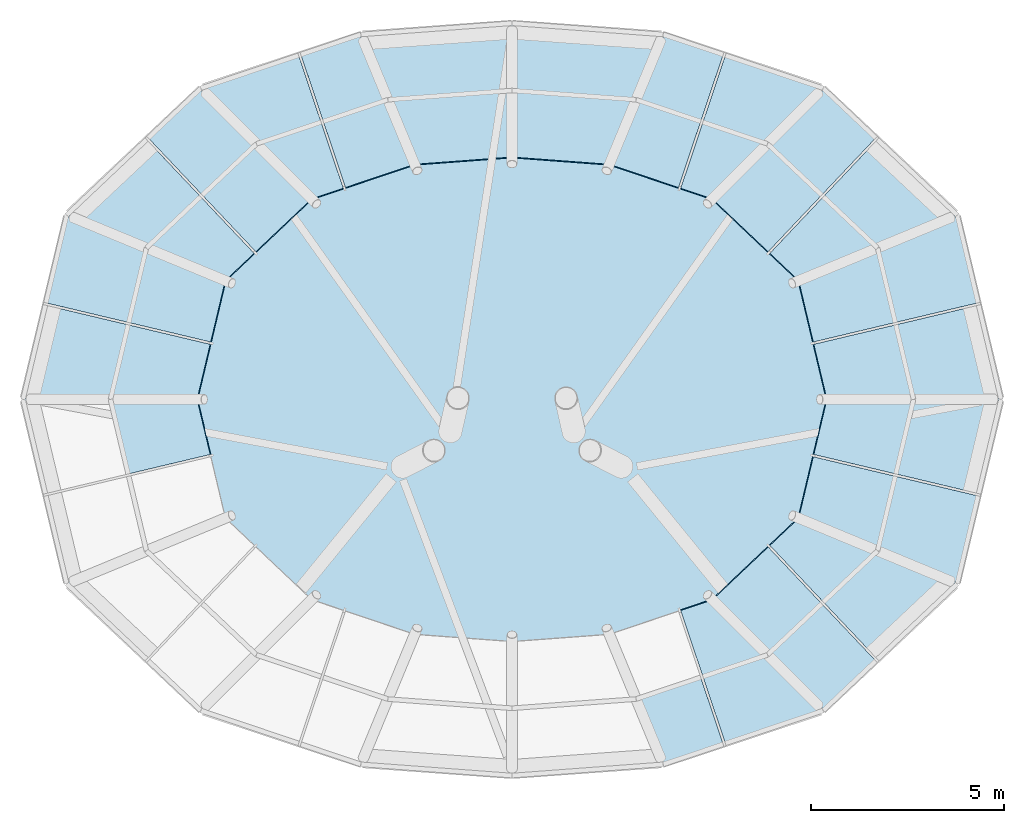
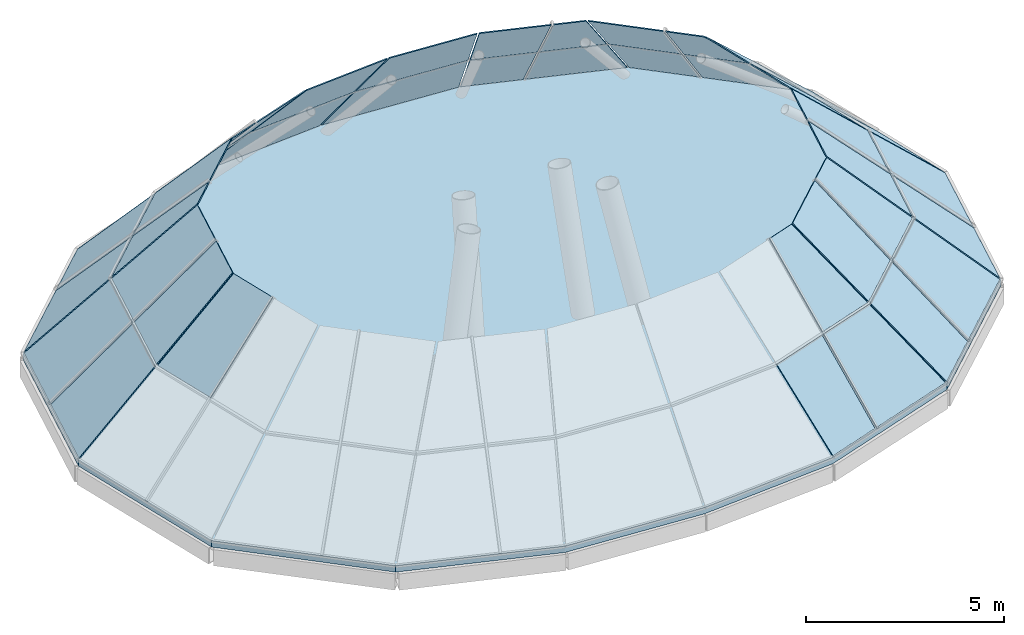
# One storey, part 3 of 3: 40 plates, 1 slab, 12 elements without a shape of their own.
"""IFC4 building model written with IfcOpenShell, lengths in metres."""

from ifc_helpers import new_model, si_unit, direction, frame, origin, place, context, subcontext, project, spatial, polyline, outline, extrude, material, layer, layer_set, type_object, element, aggregate, save


model = new_model("IFC4")

# Units and contexts
model_context = context("Model", 3, precision=1e-05, world=origin(), true_north=direction((0.0, 1.0)))
body_context = subcontext(model_context, "Body", "Model", "MODEL_VIEW")
ifc_project = project(units=[si_unit("LENGTHUNIT", "METRE"), si_unit("AREAUNIT", "SQUARE_METRE"), si_unit("VOLUMEUNIT", "CUBIC_METRE"), si_unit("PLANEANGLEUNIT", "RADIAN"), si_unit("MASSUNIT", "GRAM", prefix="KILO")], contexts=[model_context])

# Site, building, storey
site_placement = place(None, origin())
site = spatial("IfcSite", under=ifc_project, at=site_placement, CompositionType="ELEMENT")
building_placement = place(site_placement, origin())
building = spatial("IfcBuilding", under=site, at=building_placement, Name="Rubra Terraces Tower", CompositionType="ELEMENT")
storey_placement = place(building_placement, frame((0.0, 0.0, 328.800048828125)))
storey = spatial("IfcBuildingStorey", under=building, at=storey_placement, Name="L81", CompositionType="ELEMENT", Elevation=328.800048828125)

# Curtain wall, plates
ifc_material_1 = material(Name="Aluminium and glass", Category="aluminium")
curtain_wall_type = type_object("IfcCurtainWallType", Name="Curtain wall Crown glazing", PredefinedType="NOTDEFINED", material=ifc_material_1)
curtain_wall_1_placement = place(storey_placement, origin())
curtain_wall_1 = element("IfcCurtainWall", 1, at=curtain_wall_1_placement, inside=storey, type_object=curtain_wall_type, Name="Crown glazing L81 facet 1", PredefinedType="NOTDEFINED")
ifc_material_2 = material(Name="Clear glass, laminated", Category="glass")
ifc_layer_1 = layer(ifc_material_2, 0.028076171875)
ifc_layer_set_1 = layer_set([ifc_layer_1], Name="Clear glass, laminated")
plate_type = type_object("IfcPlateType", Name="Crown glazing glass panel 28", PredefinedType="CURTAIN_PANEL", material=ifc_layer_set_1)
plate_1_placement = place(storey_placement, frame((12.6162109375, 0.029296875, 0.020263671875), z_axis=(0.671698110267, 0.159578264564, 0.723433774538), x_axis=(-0.231156493778, 0.972916581805, 1.5261046e-05)))
plate_1 = element("IfcPlate", 2, at=plate_1_placement, type_object=plate_type, Name="Crown glazing L81 facet 1 panel 1.1", PredefinedType="CURTAIN_PANEL", context=body_context, shape_type="SweptSolid", body=[
    extrude(outline(polyline([(0.0, 0.0), (2.470230925350674, 5.551115123125783e-17), (2.4702736109680394, 2.9827737849064793), (0.5127405939679447, 2.9828716599315426), (0.0, 0.0)])), origin(), (0.0, 0.0, -1.0), 0.028076171875),
])
plate_2_placement = place(storey_placement, frame((10.354248046875, 0.029296875, 2.120361328125), z_axis=(0.671665765784, 0.159630885791, 0.723452195639), x_axis=(-0.231206604375, 0.972904674577, -1.6689439e-05)))
plate_2 = element("IfcPlate", 3, at=plate_2_placement, type_object=plate_type, Name="Crown glazing L81 facet 1 panel 1.2", PredefinedType="CURTAIN_PANEL", context=body_context, shape_type="SweptSolid", body=[
    extrude(outline(polyline([(0.0, 0.0), (1.9472864387669127, 0.0), (1.9473744715149315, 2.9826052330039206), (0.5127295008348857, 2.98252347659709), (0.0, 0.0)])), origin(), (0.0, 0.0, -1.0), 0.028076171875),
])
plate_3_placement = place(storey_placement, frame((12.03125, 2.490966796875, 0.020263671875), z_axis=(0.671707026347, 0.159624915282, 0.723415203861), x_axis=(-0.231210994896, 0.972903631282, 8.833266e-06)))
plate_3 = element("IfcPlate", 4, at=plate_3_placement, type_object=plate_type, Name="Crown glazing L81 facet 1 panel 2.1", PredefinedType="CURTAIN_PANEL", context=body_context, shape_type="SweptSolid", body=[
    extrude(outline(polyline([(0.0, 0.0), (2.3028827646827654, 5.551115123125783e-17), (1.955964208924267, 2.9827192952484767), (0.00015032592690593808, 2.982773781746493), (0.0, 0.0)])), origin(), (0.0, 0.0, -1.0), 0.028076171875),
])
plate_4_placement = place(storey_placement, frame((9.890380859375, 1.982177734375, 2.120361328125), z_axis=(0.671663504589, 0.159621536706, 0.723456357787), x_axis=(-0.231221733871, 0.972901079085, 1.000033e-05)))
plate_4 = element("IfcPlate", 5, at=plate_4_placement, type_object=plate_type, Name="Crown glazing L81 facet 1 panel 2.2", PredefinedType="CURTAIN_PANEL", context=body_context, shape_type="SweptSolid", body=[
    extrude(outline(polyline([(0.0, 0.0), (1.9490620122028204, 0.0), (1.6021696745429894, 2.982553790623423), (0.0001765448642833425, 2.982605229294717), (0.0, 0.0)])), origin(), (0.0, 0.0, -1.0), 0.028076171875),
])
aggregate(curtain_wall_1, [plate_1, plate_2, plate_3, plate_4])

curtain_wall_2_placement = place(storey_placement, origin())
curtain_wall_2 = element("IfcCurtainWall", 6, at=curtain_wall_2_placement, inside=storey, type_object=curtain_wall_type, Name="Crown glazing L81 facet 2", PredefinedType="NOTDEFINED")
plate_5_placement = place(storey_placement, frame((11.469970703125, 4.78125, 0.0205078125), z_axis=(0.49344720409, 0.521910296874, 0.695786963655), x_axis=(-0.726634990654, 0.687023718804, -1.2573544e-05)))
plate_5 = element("IfcPlate", 7, at=plate_5_placement, type_object=plate_type, Name="Crown glazing L81 facet 2 panel 1.1", PredefinedType="CURTAIN_PANEL", context=body_context, shape_type="SweptSolid", body=[
    extrude(outline(polyline([(0.0, 0.0), (2.7994862301919943, 1.1102230246251565e-16), (2.7995651791718936, 2.8665202957685554), (0.8922499592589556, 2.8664378992161756), (0.0, 0.0)])), origin(), (0.0, 0.0, -1.0), 0.028076171875),
])
plate_6_placement = place(storey_placement, frame((9.4111328125, 3.92822265625, 2.12060546875), z_axis=(0.493445055649, 0.52193523552, 0.695769780156), x_axis=(-0.726661559429, 0.686995617197, 4.80571e-07)))
plate_6 = element("IfcPlate", 8, at=plate_6_placement, type_object=plate_type, Name="Crown glazing L81 facet 2 panel 1.2", PredefinedType="CURTAIN_PANEL", context=body_context, shape_type="SweptSolid", body=[
    extrude(outline(polyline([(0.0, 0.0), (1.889526442105839, 0.0), (1.8895319939832567, 2.8664035920775617), (0.8923539641394455, 2.866405523491513), (0.0, 0.0)])), origin(), (0.0, 0.0, -1.0), 0.028076171875),
])
plate_7_placement = place(storey_placement, frame((9.39208984375, 6.745849609375, 0.0205078125), z_axis=(0.493425866514, 0.52193512498, 0.695783471754), x_axis=(-0.726660439215, 0.686996801764, -2.113403e-05)))
plate_7 = element("IfcPlate", 9, at=plate_7_placement, type_object=plate_type, Name="Crown glazing L81 facet 2 panel 2.1", PredefinedType="CURTAIN_PANEL", context=body_context, shape_type="SweptSolid", body=[
    extrude(outline(polyline([(0.0, 0.0), (1.8418596072550337, -1.1102230246251565e-16), (1.8977770724783045, 2.866513628552412), (-4.22006033324475e-05, 2.8664035912266246), (0.0, 0.0)])), origin(), (0.0, 0.0, -1.0), 0.028076171875),
])
plate_8_placement = place(storey_placement, frame((7.994384765625, 5.267578125, 2.12060546875), z_axis=(0.493484649731, 0.521878787253, 0.695784041133), x_axis=(-0.726582424708, 0.687079311033, -2.1334538e-05)))
plate_8 = element("IfcPlate", 10, at=plate_8_placement, type_object=plate_type, Name="Crown glazing L81 facet 2 panel 2.2", PredefinedType="CURTAIN_PANEL", context=body_context, shape_type="SweptSolid", body=[
    extrude(outline(polyline([(0.0, 0.0), (1.898845000045893, 1.1102230246251565e-16), (1.9545355712771488, 2.866518045575426), (-0.00026907641486176634, 2.86640357886247), (0.0, 0.0)])), origin(), (0.0, 0.0, -1.0), 0.028076171875),
])
aggregate(curtain_wall_2, [plate_5, plate_6, plate_7, plate_8])

curtain_wall_3_placement = place(storey_placement, origin())
curtain_wall_3 = element("IfcCurtainWall", 11, at=curtain_wall_3_placement, inside=storey, type_object=curtain_wall_type, Name="Crown glazing L81 facet 3", PredefinedType="NOTDEFINED")
plate_9_placement = place(storey_placement, frame((8.002685546875, 8.040771484375, 0.021484375), z_axis=(0.240749701374, 0.71579253895, 0.655500284113), x_axis=(-0.947828993256, 0.31877923289, 1.4875059e-05)))
plate_9 = element("IfcPlate", 12, at=plate_9_placement, type_object=plate_type, Name="Crown glazing L81 facet 3 panel 1.1", PredefinedType="CURTAIN_PANEL", context=body_context, shape_type="SweptSolid", body=[
    extrude(outline(polyline([(0.0, 0.0), (2.6278034514755646, -1.1102230246251565e-16), (2.6278170848953146, 2.723595728709326), (0.8865504906563437, 2.723681786190803), (0.0, 0.0)])), origin(), (0.0, 0.0, -1.0), 0.028076171875),
])
plate_10_placement = place(storey_placement, frame((6.563720703125, 6.601806640625, 2.121337890625), z_axis=(0.240647760718, 0.715889250439, 0.655432098975), x_axis=(-0.947882082543, 0.318621338646, 1.2372436e-05)))
plate_10 = element("IfcPlate", 13, at=plate_10_placement, type_object=plate_type, Name="Crown glazing L81 facet 3 panel 1.2", PredefinedType="CURTAIN_PANEL", context=body_context, shape_type="SweptSolid", body=[
    extrude(outline(polyline([(0.0, 0.0), (1.7225820647765742, 5.551115123125783e-17), (1.7226565287196975, 2.7237291112008757), (0.8868427498341181, 2.7237710223777847), (0.0, 0.0)])), origin(), (0.0, 0.0, -1.0), 0.028076171875),
])
plate_11_placement = place(storey_placement, frame((5.455078125, 8.8974609375, 0.021484375), z_axis=(0.240686642888, 0.715820518102, 0.655492887681), x_axis=(-0.947850152961, 0.318716311712, -1.3431266e-05)))
plate_11 = element("IfcPlate", 14, at=plate_11_placement, type_object=plate_type, Name="Crown glazing L81 facet 3 panel 2.1", PredefinedType="CURTAIN_PANEL", context=body_context, shape_type="SweptSolid", body=[
    extrude(outline(polyline([(0.0, 0.0), (1.6085518700773938, 0.0), (1.730685575577795, 2.7236551152612183), (7.39237460681814e-05, 2.7235957281936045), (0.0, 0.0)])), origin(), (0.0, 0.0, -1.0), 0.028076171875),
])
plate_12_placement = place(storey_placement, frame((4.8740234375, 7.169921875, 2.121337890625), z_axis=(0.240635472436, 0.715894384365, 0.655431003112), x_axis=(-0.947881278464, 0.318623730787, -1.080257e-05)))
plate_12 = element("IfcPlate", 15, at=plate_12_placement, type_object=plate_type, Name="Crown glazing L81 facet 3 panel 2.2", PredefinedType="CURTAIN_PANEL", context=body_context, shape_type="SweptSolid", body=[
    extrude(outline(polyline([(0.0, 0.0), (1.7331591801330357, 0.0), (1.8552412547090964, 2.723780437491612), (2.228473545975941e-05, 2.7237291121719034), (0.0, 0.0)])), origin(), (0.0, 0.0, -1.0), 0.028076171875),
])
aggregate(curtain_wall_3, [plate_9, plate_10, plate_11, plate_12])

curtain_wall_4_placement = place(storey_placement, origin())
curtain_wall_4 = element("IfcCurtainWall", 16, at=curtain_wall_4_placement, inside=storey, type_object=curtain_wall_type, Name="Crown glazing L81 facet 4", PredefinedType="NOTDEFINED")
plate_13_placement = place(storey_placement, frame((3.87158203125, 9.4208984375, 0.0224609375), z_axis=(0.057064548464, 0.768816073524, 0.636918740814), x_axis=(-0.997256710691, 0.074020625386, -3.81008e-07)))
plate_13 = element("IfcPlate", 17, at=plate_13_placement, type_object=plate_type, Name="Crown glazing L81 facet 4 panel 1.1", PredefinedType="CURTAIN_PANEL", context=body_context, shape_type="SweptSolid", body=[
    extrude(outline(polyline([(0.0, 0.0), (3.852365158661432, 5.551115123125783e-17), (3.7263522124304145, 2.6655215765537723), (0.5599513099787456, 2.6655181077530656), (0.0, 0.0)])), origin(), (0.0, 0.0, -1.0), 0.028076171875),
])
plate_14_placement = place(storey_placement, frame((3.172607421875, 7.73291015625, 2.12255859375), z_axis=(0.05702880885, 0.768783190519, 0.636961632233), x_axis=(-0.997259752423, 0.073979633618, -2.767782e-06)))
plate_14 = element("IfcPlate", 18, at=plate_14_placement, type_object=plate_type, Name="Crown glazing L81 facet 4 panel 1.2", PredefinedType="CURTAIN_PANEL", context=body_context, shape_type="SweptSolid", body=[
    extrude(outline(polyline([(0.0, 0.0), (3.1514588239848553, 0.0), (3.0255107578544713, 2.6653364322655078), (0.5600161892604386, 2.665316265456108), (0.0, 0.0)])), origin(), (0.0, 0.0, -1.0), 0.028076171875),
])
aggregate(curtain_wall_4, [plate_13, plate_14])

curtain_wall_5_placement = place(storey_placement, origin())
curtain_wall_5 = element("IfcCurtainWall", 19, at=curtain_wall_5_placement, inside=storey, type_object=curtain_wall_type, Name="Crown glazing L81 facet 5", PredefinedType="NOTDEFINED")
plate_15_placement = place(storey_placement, frame((-0.02978515625, 9.70556640625, 0.02294921875), z_axis=(-0.057010619978, 0.768812076566, 0.636928394826), x_axis=(-0.997261517698, -0.073955833347, 5.715564e-06)))
plate_15 = element("IfcPlate", 20, at=plate_15_placement, type_object=plate_type, Name="Crown glazing L81 facet 5 panel 1.1", PredefinedType="CURTAIN_PANEL", context=body_context, shape_type="SweptSolid", body=[
    extrude(outline(polyline([(0.0, 0.0), (3.852103622679126, 2.7755575615628914e-17), (3.2924857468449376, 2.6642561575320913), (0.12585943444181869, 2.6643081938640902), (0.0, 0.0)])), origin(), (0.0, 0.0, -1.0), 0.028076171875),
])
plate_16_placement = place(storey_placement, frame((-0.02978515625, 7.9658203125, 2.123046875), z_axis=(-0.057059546155, 0.768745876092, 0.63700391379), x_axis=(-0.997257674319, -0.074007639911, -1.5702125e-05)))
plate_16 = element("IfcPlate", 21, at=plate_16_placement, type_object=plate_type, Name="Crown glazing L81 facet 5 panel 1.2", PredefinedType="CURTAIN_PANEL", context=body_context, shape_type="SweptSolid", body=[
    extrude(outline(polyline([(0.0, 0.0), (3.151215351550259, 2.7755575615628914e-17), (2.5916597105220305, 2.66423231425634), (0.12590360446857968, 2.664117898765735), (0.0, 0.0)])), origin(), (0.0, 0.0, -1.0), 0.028076171875),
])
aggregate(curtain_wall_5, [plate_15, plate_16])

curtain_wall_6_placement = place(storey_placement, origin())
curtain_wall_6 = element("IfcCurtainWall", 22, at=curtain_wall_6_placement, inside=storey, type_object=curtain_wall_type, Name="Crown glazing L81 facet 6", PredefinedType="NOTDEFINED")
plate_17_placement = place(storey_placement, frame((-3.929931640625, 9.4091796875, 0.0224609375), z_axis=(-0.24072808047, 0.715888531116, 0.655403388982), x_axis=(-0.947845917148, -0.318728908859, 1.895277e-06)))
plate_17 = element("IfcPlate", 23, at=plate_17_placement, type_object=plate_type, Name="Crown glazing L81 facet 6 panel 1.1", PredefinedType="CURTAIN_PANEL", context=body_context, shape_type="SweptSolid", body=[
    extrude(outline(polyline([(0.0, 0.0), (1.6085518704083464, 0.0), (1.6085496471309282, 2.7207542354337537), (-0.12183059615816563, 2.7207626140598844), (0.0, 0.0)])), origin(), (0.0, 0.0, -1.0), 0.028076171875),
])
plate_18_placement = place(storey_placement, frame((-3.23095703125, 7.72119140625, 2.12255859375), z_axis=(-0.240685918606, 0.715840207536, 0.655471651454), x_axis=(-0.947865616581, -0.318670318495, -3.1854489e-05)))
plate_18 = element("IfcPlate", 24, at=plate_18_placement, type_object=plate_type, Name="Crown glazing L81 facet 6 panel 1.2", PredefinedType="CURTAIN_PANEL", context=body_context, shape_type="SweptSolid", body=[
    extrude(outline(polyline([(0.0, 0.0), (1.7331591783217948, 5.551115123125783e-17), (1.7330551847857472, 2.720721524206221), (-0.12201016726695366, 2.7205701761306464), (0.0, 0.0)])), origin(), (0.0, 0.0, -1.0), 0.028076171875),
])
plate_19_placement = place(storey_placement, frame((-5.51171875, 8.87744140625, 0.0224609375), z_axis=(-0.240675723872, 0.715865738041, 0.655447512039), x_axis=(-0.94785949254, -0.31868853462, 1.7443875e-05)))
plate_19 = element("IfcPlate", 25, at=plate_19_placement, type_object=plate_type, Name="Crown glazing L81 facet 6 panel 2.1", PredefinedType="CURTAIN_PANEL", context=body_context, shape_type="SweptSolid", body=[
    extrude(outline(polyline([(0.0, 0.0), (2.6274942278181825, 0.0), (1.7414517598686543, 2.7208559922722633), (-0.0001998338188894069, 2.720956906895225), (0.0, 0.0)])), origin(), (0.0, 0.0, -1.0), 0.028076171875),
])
plate_20_placement = place(storey_placement, frame((-4.9306640625, 7.14990234375, 2.12255859375), z_axis=(-0.240692596997, 0.715808253286, 0.655504094784), x_axis=(-0.947853275535, -0.318707025185, -1.2429295e-05)))
plate_20 = element("IfcPlate", 26, at=plate_20_placement, type_object=plate_type, Name="Crown glazing L81 facet 6 panel 2.2", PredefinedType="CURTAIN_PANEL", context=body_context, shape_type="SweptSolid", body=[
    extrude(outline(polyline([(0.0, 0.0), (1.7221192365346076, -5.551115123125783e-17), (0.8363593918839514, 2.720763635844994), (4.983396266848944e-06, 2.720721527296919), (0.0, 0.0)])), origin(), (0.0, 0.0, -1.0), 0.028076171875),
])
aggregate(curtain_wall_6, [plate_17, plate_18, plate_19, plate_20])

curtain_wall_7_placement = place(storey_placement, origin())
curtain_wall_7 = element("IfcCurtainWall", 27, at=curtain_wall_7_placement, inside=storey, type_object=curtain_wall_type, Name="Crown glazing L81 facet 7", PredefinedType="NOTDEFINED")
plate_21_placement = place(storey_placement, frame((-8.052978515625, 8.010498046875, 0.021484375), z_axis=(-0.493427189758, 0.521936524679, 0.69578148338), x_axis=(-0.726690722093, -0.686964768988, -2.4370759e-05)))
plate_21 = element("IfcPlate", 28, at=plate_21_placement, type_object=plate_type, Name="Crown glazing L81 facet 7 panel 1.1", PredefinedType="CURTAIN_PANEL", context=body_context, shape_type="SweptSolid", body=[
    extrude(outline(polyline([(0.0, 0.0), (1.8420370182856498, -1.1102230246251565e-16), (1.8416010287735516, 2.863793318118129), (-0.05604083274363647, 2.863666428642804), (0.0, 0.0)])), origin(), (0.0, 0.0, -1.0), 0.028076171875),
])
plate_22_placement = place(storey_placement, frame((-6.614013671875, 6.571533203125, 2.121337890625), z_axis=(-0.493501808375, 0.52194243818, 0.695724123743), x_axis=(-0.726627233123, -0.687031923627, -1.058229e-06)))
plate_22 = element("IfcPlate", 29, at=plate_22_placement, type_object=plate_type, Name="Crown glazing L81 facet 7 panel 1.2", PredefinedType="CURTAIN_PANEL", context=body_context, shape_type="SweptSolid", body=[
    extrude(outline(polyline([(0.0, 0.0), (1.8990223929382237, -1.1102230246251565e-16), (1.8989959023017604, 2.8638520028478416), (-0.055808749598349965, 2.8638463253048876), (0.0, 0.0)])), origin(), (0.0, 0.0, -1.0), 0.028076171875),
])
plate_23_placement = place(storey_placement, frame((-9.43505859375, 6.703857421875, 0.021484375), z_axis=(-0.493446204689, 0.521909239826, 0.695788465313), x_axis=(-0.726657219161, -0.68700020772, -2.0826349e-05)))
plate_23 = element("IfcPlate", 30, at=plate_23_placement, type_object=plate_type, Name="Crown glazing L81 facet 7 panel 2.1", PredefinedType="CURTAIN_PANEL", context=body_context, shape_type="SweptSolid", body=[
    extrude(outline(polyline([(0.0, 0.0), (2.798973371297321, 0.0), (1.9076739618170098, 2.863813113225489), (-0.00015411573313555926, 2.8636766343786118), (0.0, 0.0)])), origin(), (0.0, 0.0, -1.0), 0.028076171875),
])
plate_24_placement = place(storey_placement, frame((-8.03759765625, 5.2255859375, 2.121337890625), z_axis=(-0.493451318024, 0.521945367292, 0.695757738227), x_axis=(-0.726666158681, -0.686990752348, -3.928385e-06)))
plate_24 = element("IfcPlate", 31, at=plate_24_placement, type_object=plate_type, Name="Crown glazing L81 facet 7 panel 2.2", PredefinedType="CURTAIN_PANEL", context=body_context, shape_type="SweptSolid", body=[
    extrude(outline(polyline([(0.0, 0.0), (1.8888361798918205, 1.1102230246251565e-16), (0.997200466293286, 2.863984475931212), (-0.0003226945871213308, 2.8639686899076455), (0.0, 0.0)])), origin(), (0.0, 0.0, -1.0), 0.028076171875),
])
aggregate(curtain_wall_7, [plate_21, plate_22, plate_23, plate_24])

curtain_wall_8_placement = place(storey_placement, origin())
curtain_wall_8 = element("IfcCurtainWall", 32, at=curtain_wall_8_placement, inside=storey, type_object=curtain_wall_type, Name="Crown glazing L81 facet 8", PredefinedType="NOTDEFINED")
plate_25_placement = place(storey_placement, frame((-11.498779296875, 4.7314453125, 0.0205078125), z_axis=(-0.671683320579, 0.159540125229, 0.723455918006), x_axis=(-0.231106746374, -0.972928400043, -1.3031937e-05)))
plate_25 = element("IfcPlate", 33, at=plate_25_placement, type_object=plate_type, Name="Crown glazing L81 facet 8 panel 1.1", PredefinedType="CURTAIN_PANEL", context=body_context, shape_type="SweptSolid", body=[
    extrude(outline(polyline([(0.0, 0.0), (2.302826326731355, -5.551115123125783e-17), (2.3029549931472646, 2.982264843171164), (0.3471975377090663, 2.9821844550496475), (0.0, 0.0)])), origin(), (0.0, 0.0, -1.0), 0.028076171875),
])
plate_26_placement = place(storey_placement, frame((-9.439697265625, 3.87841796875, 2.12060546875), z_axis=(-0.671685652859, 0.159531869074, 0.723455573268), x_axis=(-0.231097641462, -0.972930562711, -1.5949883e-05)))
plate_26 = element("IfcPlate", 34, at=plate_26_placement, type_object=plate_type, Name="Crown glazing L81 facet 8 panel 1.2", PredefinedType="CURTAIN_PANEL", context=body_context, shape_type="SweptSolid", body=[
    extrude(outline(polyline([(0.0, 0.0), (1.9490055735035083, 0.0), (1.9491484233474983, 2.9822648425044473), (0.34721172002702533, 2.9821828038336715), (0.0, 0.0)])), origin(), (0.0, 0.0, -1.0), 0.028076171875),
])
plate_27_placement = place(storey_placement, frame((-12.044921875, 2.4326171875, 0.0205078125), z_axis=(-0.671666475205, 0.159608814425, 0.723456406733), x_axis=(-0.231181369901, -0.972910671171, 1.1532019e-05)))
plate_27 = element("IfcPlate", 35, at=plate_27_placement, type_object=plate_type, Name="Crown glazing L81 facet 8 panel 2.1", PredefinedType="CURTAIN_PANEL", context=body_context, shape_type="SweptSolid", body=[
    extrude(outline(polyline([(0.0, 0.0), (2.4702309255864847, 5.551115123125783e-17), (1.9576032074963643, 2.982190883137326), (1.375300451002424e-05, 2.9822648459435834), (0.0, 0.0)])), origin(), (0.0, 0.0, -1.0), 0.028076171875),
])
plate_28_placement = place(storey_placement, frame((-9.904052734375, 1.923828125, 2.12060546875), z_axis=(-0.671690409831, 0.159586903041, 0.72343901866), x_axis=(-0.231111923396, -0.972927169451, 4.2534773e-05)))
plate_28 = element("IfcPlate", 36, at=plate_28_placement, type_object=plate_type, Name="Crown glazing L81 facet 8 panel 2.2", PredefinedType="CURTAIN_PANEL", context=body_context, shape_type="SweptSolid", body=[
    extrude(outline(polyline([(0.0, 0.0), (1.9472300072643647, -5.551115123125783e-17), (1.434876542287789, 2.9820564779726784), (0.00023158827319732147, 2.98226483504566), (0.0, 0.0)])), origin(), (0.0, 0.0, -1.0), 0.028076171875),
])
aggregate(curtain_wall_8, [plate_25, plate_26, plate_27, plate_28])

# Curtain wall, plate
curtain_wall_9_placement = place(storey_placement, origin())
curtain_wall_9 = element("IfcCurtainWall", 37, at=curtain_wall_9_placement, inside=storey, type_object=curtain_wall_type, Name="Crown glazing L81 facet 9", PredefinedType="NOTDEFINED")
plate_29_placement = place(storey_placement, frame((-10.354248046875, -0.029296875, 2.120361328125), z_axis=(-0.671665765784, -0.159630885791, 0.723452195639), x_axis=(0.231206604375, -0.972904674577, -1.6689439e-05)))
plate_29 = element("IfcPlate", 38, at=plate_29_placement, type_object=plate_type, Name="Crown glazing L81 facet 9 panel 1.2", PredefinedType="CURTAIN_PANEL", context=body_context, shape_type="SweptSolid", body=[
    extrude(outline(polyline([(0.0, 0.0), (1.9472864387669127, 0.0), (1.9473744715149315, 2.9826052330039206), (0.5127295008348857, 2.98252347659709), (0.0, 0.0)])), origin(), (0.0, 0.0, -1.0), 0.028076171875),
])
aggregate(curtain_wall_9, [plate_29])

# Curtain wall, plates
curtain_wall_10_placement = place(storey_placement, origin())
curtain_wall_10 = element("IfcCurtainWall", 39, at=curtain_wall_10_placement, inside=storey, type_object=curtain_wall_type, Name="Crown glazing L81 facet 14", PredefinedType="NOTDEFINED")
plate_30_placement = place(storey_placement, frame((3.929931640625, -9.4091796875, 0.0224609375), z_axis=(0.24072808047, -0.715888531116, 0.655403388982), x_axis=(0.947845917148, 0.318728908859, 1.895277e-06)))
plate_30 = element("IfcPlate", 40, at=plate_30_placement, type_object=plate_type, Name="Crown glazing L81 facet 14 panel 1.1", PredefinedType="CURTAIN_PANEL", context=body_context, shape_type="SweptSolid", body=[
    extrude(outline(polyline([(0.0, 0.0), (1.6085518704083464, 0.0), (1.6085496471309282, 2.7207542354337537), (-0.12183059615816563, 2.7207626140598844), (0.0, 0.0)])), origin(), (0.0, 0.0, -1.0), 0.028076171875),
])
plate_31_placement = place(storey_placement, frame((5.51171875, -8.87744140625, 0.0224609375), z_axis=(0.240675723872, -0.715865738041, 0.655447512039), x_axis=(0.94785949254, 0.31868853462, 1.7443875e-05)))
plate_31 = element("IfcPlate", 41, at=plate_31_placement, type_object=plate_type, Name="Crown glazing L81 facet 14 panel 2.1", PredefinedType="CURTAIN_PANEL", context=body_context, shape_type="SweptSolid", body=[
    extrude(outline(polyline([(0.0, 0.0), (2.6274942278181825, 0.0), (1.7414517598686543, 2.7208559922722633), (-0.0001998338188894069, 2.720956906895225), (0.0, 0.0)])), origin(), (0.0, 0.0, -1.0), 0.028076171875),
])
plate_32_placement = place(storey_placement, frame((4.9306640625, -7.14990234375, 2.12255859375), z_axis=(0.240692596997, -0.715808253286, 0.655504094784), x_axis=(0.947853275535, 0.318707025185, -1.2429295e-05)))
plate_32 = element("IfcPlate", 42, at=plate_32_placement, type_object=plate_type, Name="Crown glazing L81 facet 14 panel 2.2", PredefinedType="CURTAIN_PANEL", context=body_context, shape_type="SweptSolid", body=[
    extrude(outline(polyline([(0.0, 0.0), (1.7221192365346076, -5.551115123125783e-17), (0.8363593918839514, 2.720763635844994), (4.983396266848944e-06, 2.720721527296919), (0.0, 0.0)])), origin(), (0.0, 0.0, -1.0), 0.028076171875),
])
aggregate(curtain_wall_10, [plate_30, plate_31, plate_32])

curtain_wall_11_placement = place(storey_placement, origin())
curtain_wall_11 = element("IfcCurtainWall", 43, at=curtain_wall_11_placement, inside=storey, type_object=curtain_wall_type, Name="Crown glazing L81 facet 15", PredefinedType="NOTDEFINED")
plate_33_placement = place(storey_placement, frame((8.052978515625, -8.010498046875, 0.021484375), z_axis=(0.493427189758, -0.521936524679, 0.69578148338), x_axis=(0.726690722093, 0.686964768988, -2.4370759e-05)))
plate_33 = element("IfcPlate", 44, at=plate_33_placement, type_object=plate_type, Name="Crown glazing L81 facet 15 panel 1.1", PredefinedType="CURTAIN_PANEL", context=body_context, shape_type="SweptSolid", body=[
    extrude(outline(polyline([(0.0, 0.0), (1.8420370182856498, -1.1102230246251565e-16), (1.8416010287735516, 2.863793318118129), (-0.05604083274363647, 2.863666428642804), (0.0, 0.0)])), origin(), (0.0, 0.0, -1.0), 0.028076171875),
])
plate_34_placement = place(storey_placement, frame((6.614013671875, -6.571533203125, 2.121337890625), z_axis=(0.493501808375, -0.52194243818, 0.695724123743), x_axis=(0.726627233123, 0.687031923627, -1.058229e-06)))
plate_34 = element("IfcPlate", 45, at=plate_34_placement, type_object=plate_type, Name="Crown glazing L81 facet 15 panel 1.2", PredefinedType="CURTAIN_PANEL", context=body_context, shape_type="SweptSolid", body=[
    extrude(outline(polyline([(0.0, 0.0), (1.8990223929382237, -1.1102230246251565e-16), (1.8989959023017604, 2.8638520028478416), (-0.055808749598349965, 2.8638463253048876), (0.0, 0.0)])), origin(), (0.0, 0.0, -1.0), 0.028076171875),
])
plate_35_placement = place(storey_placement, frame((9.43505859375, -6.703857421875, 0.021484375), z_axis=(0.493446204689, -0.521909239826, 0.695788465313), x_axis=(0.726657219161, 0.68700020772, -2.0826349e-05)))
plate_35 = element("IfcPlate", 46, at=plate_35_placement, type_object=plate_type, Name="Crown glazing L81 facet 15 panel 2.1", PredefinedType="CURTAIN_PANEL", context=body_context, shape_type="SweptSolid", body=[
    extrude(outline(polyline([(0.0, 0.0), (2.798973371297321, 0.0), (1.9076739618170098, 2.863813113225489), (-0.00015411573313555926, 2.8636766343786118), (0.0, 0.0)])), origin(), (0.0, 0.0, -1.0), 0.028076171875),
])
plate_36_placement = place(storey_placement, frame((8.03759765625, -5.2255859375, 2.121337890625), z_axis=(0.493451318024, -0.521945367292, 0.695757738227), x_axis=(0.726666158681, 0.686990752348, -3.928385e-06)))
plate_36 = element("IfcPlate", 47, at=plate_36_placement, type_object=plate_type, Name="Crown glazing L81 facet 15 panel 2.2", PredefinedType="CURTAIN_PANEL", context=body_context, shape_type="SweptSolid", body=[
    extrude(outline(polyline([(0.0, 0.0), (1.8888361798918205, 1.1102230246251565e-16), (0.997200466293286, 2.863984475931212), (-0.0003226945871213308, 2.8639686899076455), (0.0, 0.0)])), origin(), (0.0, 0.0, -1.0), 0.028076171875),
])
aggregate(curtain_wall_11, [plate_33, plate_34, plate_35, plate_36])

curtain_wall_12_placement = place(storey_placement, origin())
curtain_wall_12 = element("IfcCurtainWall", 48, at=curtain_wall_12_placement, inside=storey, type_object=curtain_wall_type, Name="Crown glazing L81 facet 16", PredefinedType="NOTDEFINED")
plate_37_placement = place(storey_placement, frame((11.498779296875, -4.7314453125, 0.0205078125), z_axis=(0.671683320579, -0.159540125229, 0.723455918006), x_axis=(0.231106746374, 0.972928400043, -1.3031937e-05)))
plate_37 = element("IfcPlate", 49, at=plate_37_placement, type_object=plate_type, Name="Crown glazing L81 facet 16 panel 1.1", PredefinedType="CURTAIN_PANEL", context=body_context, shape_type="SweptSolid", body=[
    extrude(outline(polyline([(0.0, 0.0), (2.302826326731355, -5.551115123125783e-17), (2.3029549931472646, 2.982264843171164), (0.3471975377090663, 2.9821844550496475), (0.0, 0.0)])), origin(), (0.0, 0.0, -1.0), 0.028076171875),
])
plate_38_placement = place(storey_placement, frame((9.439697265625, -3.87841796875, 2.12060546875), z_axis=(0.671685652859, -0.159531869074, 0.723455573268), x_axis=(0.231097641462, 0.972930562711, -1.5949883e-05)))
plate_38 = element("IfcPlate", 50, at=plate_38_placement, type_object=plate_type, Name="Crown glazing L81 facet 16 panel 1.2", PredefinedType="CURTAIN_PANEL", context=body_context, shape_type="SweptSolid", body=[
    extrude(outline(polyline([(0.0, 0.0), (1.9490055735035083, 0.0), (1.9491484233474983, 2.9822648425044473), (0.34721172002702533, 2.9821828038336715), (0.0, 0.0)])), origin(), (0.0, 0.0, -1.0), 0.028076171875),
])
plate_39_placement = place(storey_placement, frame((12.044921875, -2.4326171875, 0.0205078125), z_axis=(0.671666475205, -0.159608814425, 0.723456406733), x_axis=(0.231181369901, 0.972910671171, 1.1532019e-05)))
plate_39 = element("IfcPlate", 51, at=plate_39_placement, type_object=plate_type, Name="Crown glazing L81 facet 16 panel 2.1", PredefinedType="CURTAIN_PANEL", context=body_context, shape_type="SweptSolid", body=[
    extrude(outline(polyline([(0.0, 0.0), (2.4702309255864847, 5.551115123125783e-17), (1.9576032074963643, 2.982190883137326), (1.375300451002424e-05, 2.9822648459435834), (0.0, 0.0)])), origin(), (0.0, 0.0, -1.0), 0.028076171875),
])
plate_40_placement = place(storey_placement, frame((9.904052734375, -1.923828125, 2.12060546875), z_axis=(0.671690409831, -0.159586903041, 0.72343901866), x_axis=(0.231111923396, 0.972927169451, 4.2534773e-05)))
plate_40 = element("IfcPlate", 52, at=plate_40_placement, type_object=plate_type, Name="Crown glazing L81 facet 16 panel 2.2", PredefinedType="CURTAIN_PANEL", context=body_context, shape_type="SweptSolid", body=[
    extrude(outline(polyline([(0.0, 0.0), (1.9472300072643647, -5.551115123125783e-17), (1.434876542287789, 2.9820564779726784), (0.00023158827319732147, 2.98226483504566), (0.0, 0.0)])), origin(), (0.0, 0.0, -1.0), 0.028076171875),
])
aggregate(curtain_wall_12, [plate_37, plate_38, plate_39, plate_40])

# Slab
ifc_material_3 = material(Name="Concrete C40", Category="concrete")
ifc_layer_2 = layer(ifc_material_3, 0.199951171875)
ifc_layer_set_2 = layer_set([ifc_layer_2], Name="Concrete C40")
slab_type = type_object("IfcSlabType", Name="ROOF SLAB 200 COMPOSITE", PredefinedType="ROOF", material=ifc_layer_set_2)
slab_placement = place(storey_placement, frame((0.0, 0.0, -0.199951171875)))
element("IfcSlab", 53, at=slab_placement, inside=storey, type_object=slab_type, Name="CROWN ROOF SLAB L81", PredefinedType="ROOF", context=body_context, shape_type="SweptSolid", body=[
    extrude(outline(polyline([(12.64501953125, 0.0), (11.511962890625, 4.76904296875), (8.0458984375, 8.0458984375), (3.908935546875, 9.43701171875), (0.0, 9.72705078125), (-3.908935546875, 9.43701171875), (-8.0458984375, 8.0458984375), (-11.511962890625, 4.76904296875), (-12.64501953125, 0.0), (-11.511962890625, -4.76904296875), (-8.0458984375, -8.0458984375), (-3.908935546875, -9.43701171875), (0.0, -9.72705078125), (3.908935546875, -9.43701171875), (8.0458984375, -8.0458984375), (11.511962890625, -4.76904296875), (12.64501953125, 0.0)])), origin(), (0.0, 0.0, 1.0), 0.199951171875),
])

save(model, "model.ifc")
